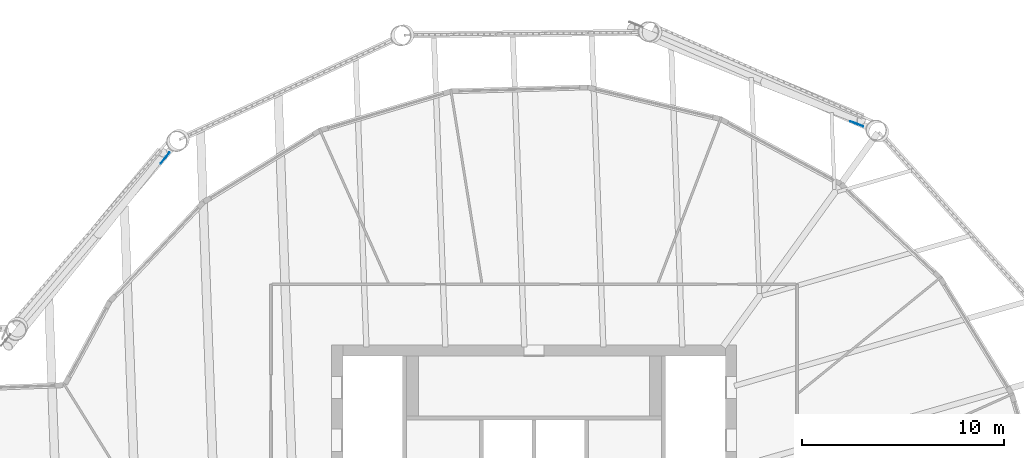
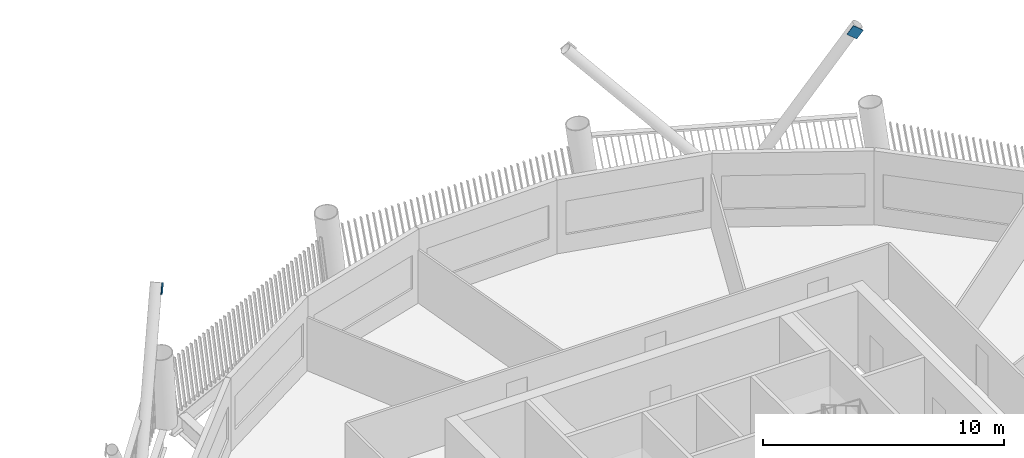
# One storey, part 12 of 20: 2 discrete accessories.
"""IFC4 building model written with IfcOpenShell, lengths in metres."""

from ifc_helpers import new_model, si_unit, direction, frame, origin, origin_2d, place, context, subcontext, project, spatial, rectangle, extrude, material, material_profile, profile_set, type_object, element, save


model = new_model("IFC4")

# Units and contexts
model_context = context("Model", 3, precision=1e-05, world=origin(), true_north=direction((0.0, 1.0)))
body_context = subcontext(model_context, "Body", "Model", "MODEL_VIEW")
ifc_project = project(units=[si_unit("LENGTHUNIT", "METRE"), si_unit("AREAUNIT", "SQUARE_METRE"), si_unit("VOLUMEUNIT", "CUBIC_METRE"), si_unit("PLANEANGLEUNIT", "RADIAN"), si_unit("MASSUNIT", "GRAM", prefix="KILO")], contexts=[model_context])

# Site, building, storey
site_placement = place(None, origin())
site = spatial("IfcSite", under=ifc_project, at=site_placement, CompositionType="ELEMENT")
building_placement = place(site_placement, origin())
building = spatial("IfcBuilding", under=site, at=building_placement, Name="Tarsis Ring Headquarters", CompositionType="ELEMENT")
storey_placement = place(building_placement, frame((0.0, 0.0, 294.199951171875)))
storey = spatial("IfcBuildingStorey", under=building, at=storey_placement, Name="L69", CompositionType="ELEMENT", Elevation=294.199951171875)

# Discrete accessories
ifc_material = material(Name="Structural steel S355", Category="steel")
ifc_material_profile = material_profile(ifc_material, rectangle(XDim=0.02490234375, YDim=0.5, at=origin_2d()), Name="PL 25x500")
ifc_profile_set = profile_set([ifc_material_profile], Name="Structural steel S355")
discrete_accessory_type = type_object("IfcDiscreteAccessoryType", Name="Gusset plate Exo brace 25", PredefinedType="BRACKET", material=ifc_profile_set)
for number, where, z_axis, x_axis, name in (
    (1, (16.078857421875, 23.879638671875, 7.800048828125), (-0.510192421262, 0.200659411616, -0.83632499294), (-0.36601052801, -0.930610709903, 0.0), "Gusset plate GP5"),
    (2, (-18.145751953125, 22.349365234375, 7.800048828125), (-0.340752523017, -0.42960203475, -0.836259415371), (0.783467784754, -0.621432401998, 0.0), "Gusset plate GP5"),
):
    element("IfcDiscreteAccessory", number, at=place(storey_placement, frame(where, z_axis=z_axis, x_axis=x_axis)), inside=storey, type_object=discrete_accessory_type, Name=name, PredefinedType="BRACKET", context=body_context, shape_type="SweptSolid", body=[
        extrude(rectangle(XDim=0.02490234375, YDim=0.5, at=origin_2d()), origin(), (0.0, 0.0, 1.0), 0.5),
    ])

save(model, "model.ifc")
